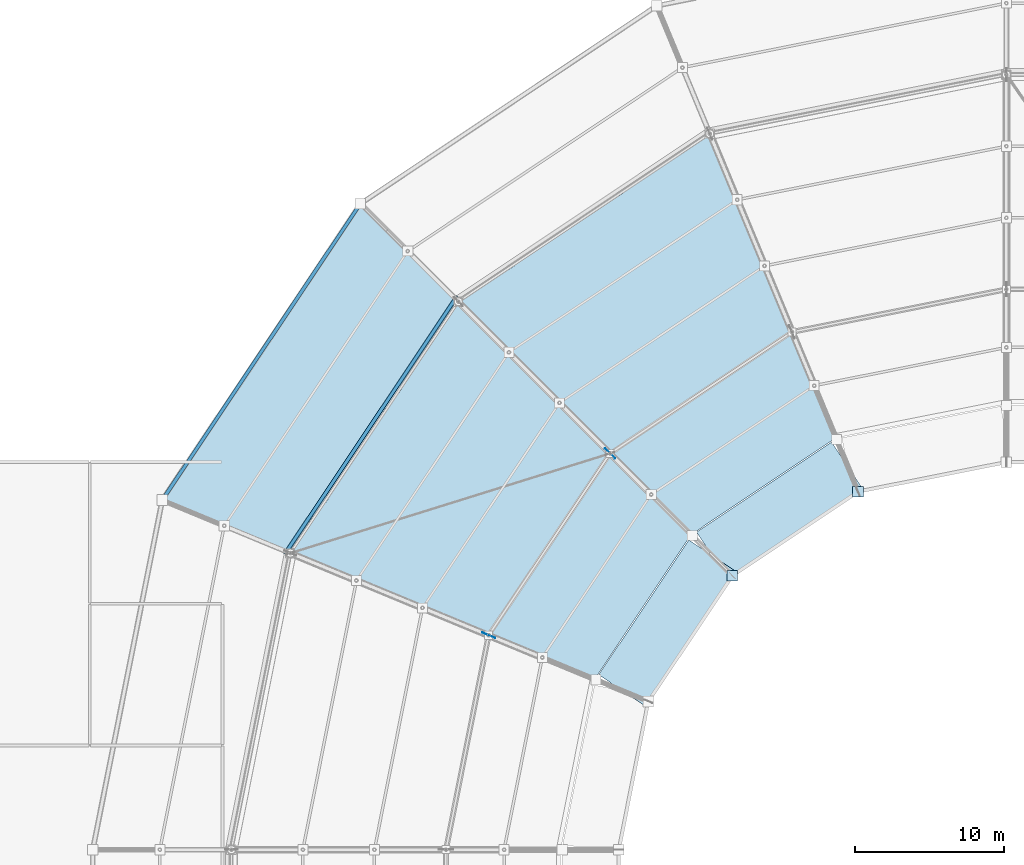
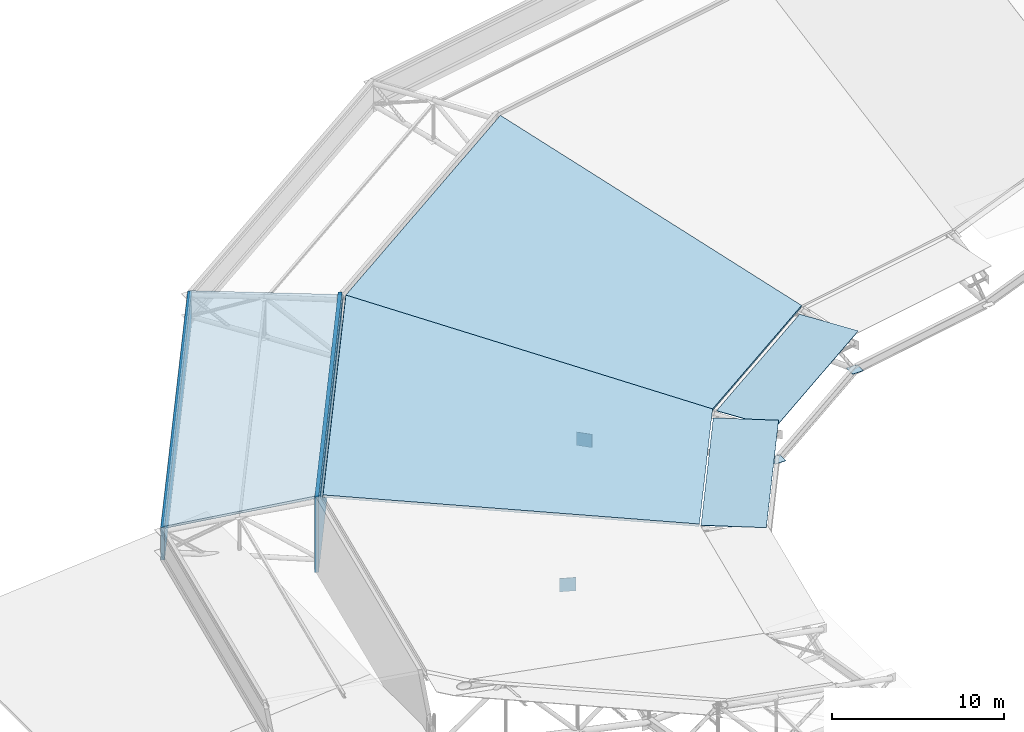
# One storey, part 109 of 146: 8 plates, 3 slabs.
"""IFC4 building model written with IfcOpenShell, lengths in metres."""

from ifc_helpers import new_model, si_unit, direction, frame, origin, origin_2d, place, context, subcontext, project, spatial, polyline, rectangle, outline, extrude, material, layer, layer_set, type_object, element, save


model = new_model("IFC4")

# Units and contexts
model_context = context("Model", 3, precision=1e-05, world=origin(), true_north=direction((0.0, 1.0)))
body_context = subcontext(model_context, "Body", "Model", "MODEL_VIEW")
ifc_project = project(units=[si_unit("LENGTHUNIT", "METRE"), si_unit("AREAUNIT", "SQUARE_METRE"), si_unit("VOLUMEUNIT", "CUBIC_METRE"), si_unit("PLANEANGLEUNIT", "RADIAN"), si_unit("MASSUNIT", "GRAM", prefix="KILO")], contexts=[model_context])

# Site, building, storey
site_placement = place(None, origin())
site = spatial("IfcSite", under=ifc_project, at=site_placement, CompositionType="ELEMENT")
building_placement = place(site_placement, origin())
building = spatial("IfcBuilding", under=site, at=building_placement, Name="Candeia Ridge Stadium", CompositionType="ELEMENT")
storey_placement = place(building_placement, frame((0.0, 0.0, 31.800048828125)))
storey = spatial("IfcBuildingStorey", under=building, at=storey_placement, Name="RF", CompositionType="ELEMENT", Elevation=31.800048828125)

# Plates
ifc_material_1 = material(Name="Aluminium Anodized Warm Bronze", Category="aluminium")
ifc_layer_1 = layer(ifc_material_1, 0.239990234375, Name="Aluminium Anodized Warm Bronze", Category="aluminium")
ifc_layer_set_1 = layer_set([ifc_layer_1], Name="Aluminium Anodized Warm Bronze")
plate_type_1 = type_object("IfcPlateType", Name="Crown Perforated Bronze Acoustic Screen", PredefinedType="SHEET", material=ifc_layer_set_1)
plate_1_placement = place(storey_placement, frame((28.365966796875, 123.487060546875, -0.3251953125), z_axis=(0.0, 0.0, 1.0), x_axis=(-0.555570210802, -0.831469627148, 0.0)))
element("IfcPlate", 1, at=plate_1_placement, inside=storey, type_object=plate_type_1, Name="Crown perforated bronze acoustic screen RF bay 10", PredefinedType="SHEET", context=body_context, shape_type="SweptSolid", body=[
    extrude(rectangle(XDim=20.798583984375, YDim=0.239990234375, at=origin_2d()), origin(), (0.0, 0.0, 1.0), 5.330078125),
])
plate_2_placement = place(storey_placement, frame((21.01025390625, 128.402099609375, 1.25), z_axis=(0.0, 0.0, 1.0), x_axis=(-0.555570200194, -0.831469634236, 0.0)))
element("IfcPlate", 2, at=plate_2_placement, inside=storey, type_object=plate_type_1, Name="Saddle roof outer eaves warm-bronze fascia bay 10", PredefinedType="SHEET", context=body_context, shape_type="SweptSolid", body=[
    extrude(rectangle(XDim=23.97802734375, YDim=0.239990234375, at=origin_2d()), origin(), (0.0, 0.0, 1.0), 2.300048828125),
])
ifc_material_2 = material(Name="Steel ASTM A572 Grade 50", Category="steel")
ifc_layer_2 = layer(ifc_material_2, 0.02490234375, Name="Steel ASTM A572 Grade 50", Category="steel")
ifc_layer_set_2 = layer_set([ifc_layer_2], Name="Steel ASTM A572 Grade 50")
plate_type_2 = type_object("IfcPlateType", Name="Hollow Section End Closure Plate CP2", PredefinedType="SHEET", material=ifc_layer_set_2)
for number, where, z_axis, x_axis, name in (
    (3, (61.05029296875, 119.020751953125, -1.972412109375), (0.0, 0.0, 1.0), (1.0, 0.0, 0.0), "Hollow section end closure plate BCAP-TIP-08"),
    (4, (52.615234375, 113.384765625, -1.972412109375), (0.0, 0.0, 1.0), (1.0, 0.0, 0.0), "Hollow section end closure plate BCAP-TIP-09"),
):
    element("IfcPlate", number, at=place(storey_placement, frame(where, z_axis=z_axis, x_axis=x_axis)), inside=storey, type_object=plate_type_2, Name=name, PredefinedType="SHEET", context=body_context, shape_type="SweptSolid", body=[
        extrude(rectangle(XDim=0.719970703125, YDim=0.719970703125, at=origin_2d()), origin(), (0.0, 0.0, 1.0), 0.02490234375),
    ])
ifc_material_3 = material(Name="Polycarbonate Multiwall Glazing", Category="glass")
ifc_layer_3 = layer(ifc_material_3, 0.034912109375, Name="Polycarbonate Multiwall Glazing", Category="glass")
ifc_layer_set_3 = layer_set([ifc_layer_3], Name="Polycarbonate Multiwall Glazing")
plate_type_3 = type_object("IfcPlateType", Name="Inner Roof Polycarbonate Daylight Panel DP1", PredefinedType="SHEET", material=ifc_layer_set_3)
plate_3_placement = place(storey_placement, frame((55.79736328125, 117.752197265625, 0.52392578125), z_axis=(0.0, 0.0, 1.0), x_axis=(-0.831469588992, -0.555570267906, 0.0)))
element("IfcPlate", 5, at=plate_3_placement, inside=storey, type_object=plate_type_3, Name="Inner roof polycarbonate daylight ring panel 09", PredefinedType="SHEET", context=body_context, shape_type="SweptSolid", body=[
    extrude(rectangle(XDim=10.885986328125, YDim=3.800048828125, at=origin_2d()), origin(), (0.0, 0.0, 1.0), 0.034912109375),
])
ifc_layer_4 = layer(ifc_material_3, 0.034912109375, Name="Polycarbonate Multiwall Glazing", Category="glass")
ifc_layer_set_4 = layer_set([ifc_layer_4], Name="Polycarbonate Multiwall Glazing")
plate_type_4 = type_object("IfcPlateType", Name="Inner Roof Polycarbonate Daylight Panel DP2", PredefinedType="SHEET", material=ifc_layer_set_4)
plate_4_placement = place(storey_placement, frame((48.247802734375, 110.20263671875, 0.52392578125), z_axis=(0.0, 0.0, 1.0), x_axis=(-0.555570267906, -0.831469588992, 0.0)))
element("IfcPlate", 6, at=plate_4_placement, inside=storey, type_object=plate_type_4, Name="Inner roof polycarbonate daylight ring panel 10", PredefinedType="SHEET", context=body_context, shape_type="SweptSolid", body=[
    extrude(rectangle(XDim=10.885986328125, YDim=3.800048828125, at=origin_2d()), origin(), (0.0, 0.0, 1.0), 0.034912109375),
])
ifc_layer_5 = layer(ifc_material_2, 0.031982421875, Name="Steel ASTM A572 Grade 50", Category="steel")
ifc_layer_set_5 = layer_set([ifc_layer_5], Name="Steel ASTM A572 Grade 50")
plate_type_5 = type_object("IfcPlateType", Name="Roof Truss Inner Support Node Gusset ND-1", PredefinedType="USERDEFINED", material=ifc_layer_set_5)
for number, where, z_axis, x_axis, name in (
    (7, (44.412841796875, 121.587158203125, -3.13916015625), (0.0, 0.0, 1.0), (-0.707106781187, 0.707106781187, 0.0), "Roof truss inner support node ND-1 bay 10"),
    (8, (36.26220703125, 109.388916015625, -3.13916015625), (0.0, 0.0, 1.0), (-0.923879532077, 0.382683433413, 0.0), "Roof truss inner support node ND-1 bay 11"),
):
    element("IfcPlate", number, at=place(storey_placement, frame(where, z_axis=z_axis, x_axis=x_axis)), inside=storey, type_object=plate_type_5, Name=name, ObjectType="GUSSET PLATE", PredefinedType="USERDEFINED", context=body_context, shape_type="SweptSolid", body=[
        extrude(rectangle(XDim=0.949951171875, YDim=0.031982421875, at=origin_2d()), origin(), (0.0, 0.0, 1.0), 0.949951171875),
    ])

# Slabs
ifc_layer_6 = layer(ifc_material_2, 0.1650390625, Name="Steel ASTM A572 Grade 50", Category="steel")
ifc_layer_set_6 = layer_set([ifc_layer_6], Name="Steel ASTM A572 Grade 50")
slab_type_1 = type_object("IfcSlabType", Name="Saddle Eaves Roof Deck 165", PredefinedType="ROOF", material=ifc_layer_set_6)
slab_1_placement = place(storey_placement, frame((34.174072265625, 131.825927734375, 4.988037109375), z_axis=(-0.126159658461, 0.084296794497, 0.988421868948), x_axis=(-0.555586657838, -0.831458637348, -3.364062e-06)))
element("IfcSlab", 9, at=slab_1_placement, inside=storey, type_object=slab_type_1, Name="Stadium saddle roof eave deck bay 10", PredefinedType="ROOF", context=body_context, shape_type="SweptSolid", body=[
    extrude(outline(polyline([(0.0, 0.0), (20.32091695834634, 0.0), (22.119996267848006, -9.148505019899881), (-1.7986860245924663, -9.149485867843724), (0.0, 0.0)])), origin(), (0.0, 0.0, -1.0), 0.1650390625),
])
ifc_layer_7 = layer(ifc_material_2, 0.179931640625, Name="Steel ASTM A572 Grade 50", Category="steel")
ifc_layer_set_7 = layer_set([ifc_layer_7], Name="Steel ASTM A572 Grade 50")
slab_type_2 = type_object("IfcSlabType", Name="Saddle Roof Structural Deck 180", PredefinedType="ROOF", material=ifc_layer_set_7)
slab_2_placement = place(storey_placement, frame((59.55810546875, 122.6240234375, 0.911865234375), z_axis=(0.102962524473, -0.154087355623, 0.982677874683), x_axis=(-0.831451232069, -0.555597739994, -2.308707e-06)))
element("IfcSlab", 10, at=slab_2_placement, inside=storey, type_object=slab_type_2, Name="Stadium saddle roof main deck bay 09", PredefinedType="ROOF", context=body_context, shape_type="SweptSolid", body=[
    extrude(outline(polyline([(0.0, 0.0), (11.666586999361916, 0.0), (15.96183736590626, -21.978166695986), (-4.296445413772824, -21.97776898157144), (0.0, 0.0)])), origin(), (0.0, 0.0, -1.0), 0.179931640625),
])
slab_3_placement = place(storey_placement, frame((49.85791015625, 116.14208984375, 0.911865234375), z_axis=(0.154087355623, -0.102962524473, 0.982677874683), x_axis=(-0.555597739994, -0.831451232069, 2.308707e-06)))
element("IfcSlab", 11, at=slab_3_placement, inside=storey, type_object=slab_type_2, Name="Stadium saddle roof main deck bay 10", PredefinedType="ROOF", context=body_context, shape_type="SweptSolid", body=[
    extrude(outline(polyline([(0.0, 0.0), (11.666586999361916, 0.0), (15.96303241313474, -21.97776898157144), (-4.2952503665443444, -21.978166695986005), (0.0, 0.0)])), origin(), (0.0, 0.0, -1.0), 0.179931640625),
])

save(model, "model.ifc")
